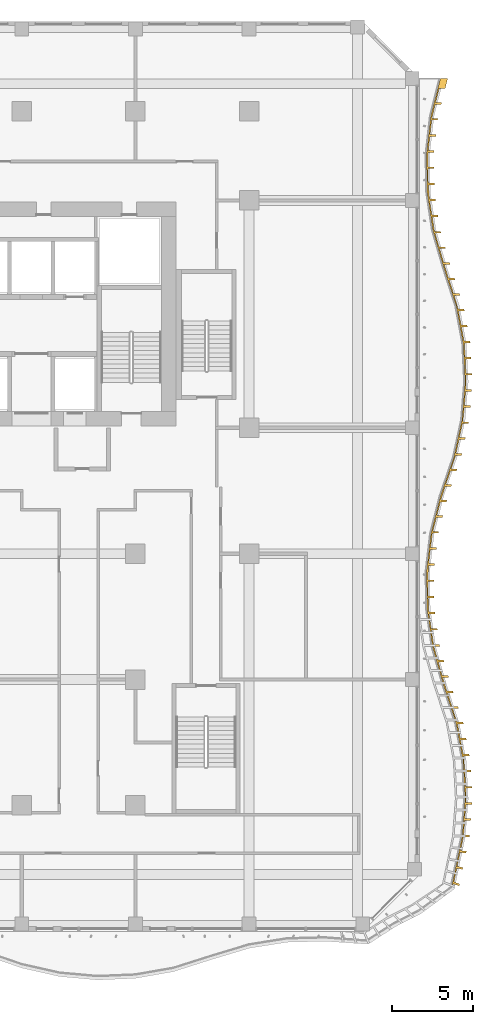
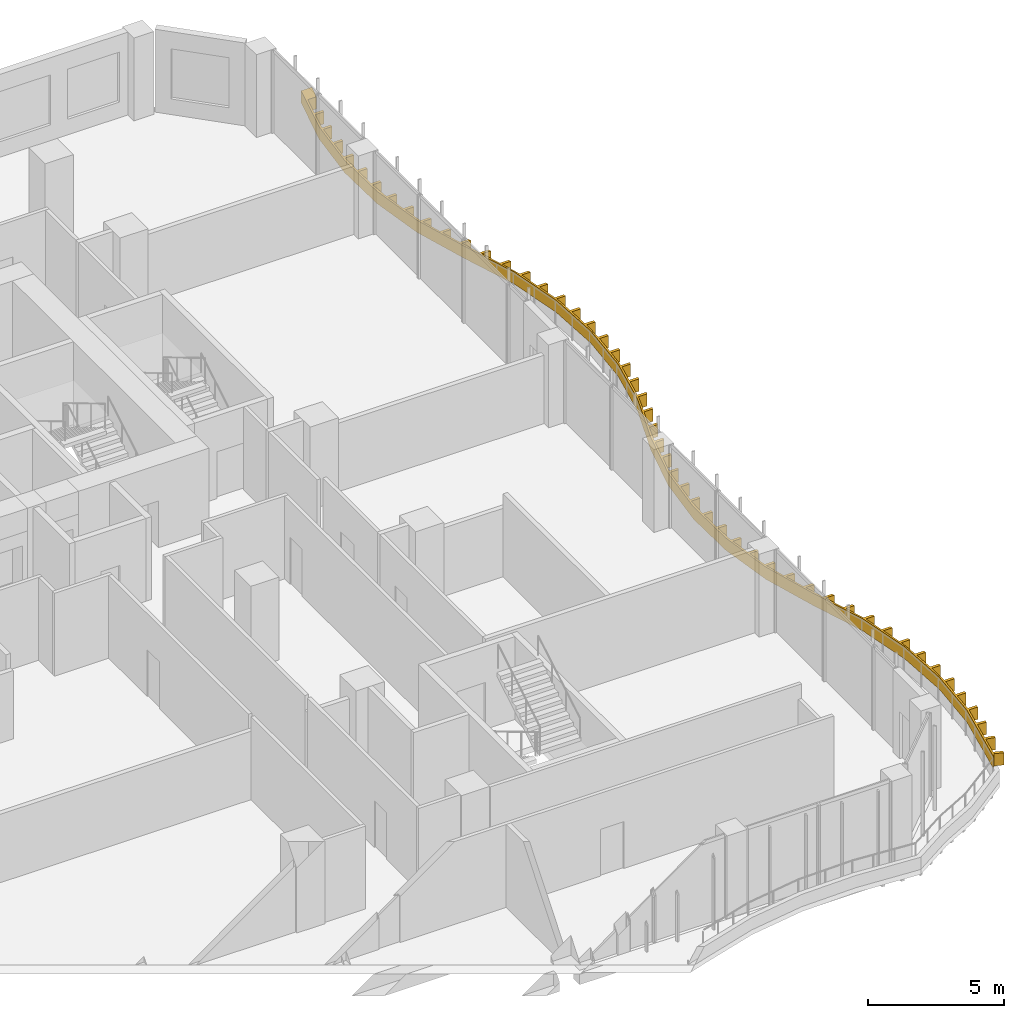
# One storey, part 23 of 26: 1 shading device.
"""IFC4 building model written with IfcOpenShell, lengths in metres."""

import ifcopenshell
import ifcopenshell.guid

model = None  # the IFC model being written
_history = None  # IfcOwnerHistory: only IFC2X3 demands one
_inside = {}  # id of a spatial element -> (the spatial element, [elements in it])
_under = {}  # id of a project, library or spatial element -> (it, [spatial elements below it])
_declared = {}  # id of a project -> (the project, [libraries it declares])
_typed = {}  # id of a type object -> (the type object, [elements of that type])
_made_of = {}  # id of a material, layer set ... -> (it, [elements and type objects made of it])


def new_model(schema):
    """Start an empty IFC model of exactly this schema.

    Asked for "IFC4X3", IfcOpenShell would pick the latest addendum, in which some entities
    have other attributes; the version numbers below select the first issue.
    IFC2X3 requires an IfcOwnerHistory on every rooted entity: one is made here for all.
    """
    global model, _history
    if schema == "IFC4X3":
        model = ifcopenshell.file(schema_version=(4, 3, 0, 0))
    else:
        model = ifcopenshell.file(schema=schema)
    _inside.clear()
    _under.clear()
    _declared.clear()
    _typed.clear()
    _made_of.clear()
    _history = None
    if model.schema == "IFC2X3":
        org = make("IfcOrganization", Name="unknown")
        user = make(
            "IfcPersonAndOrganization",
            ThePerson=make("IfcPerson", FamilyName="unknown"),
            TheOrganization=org,
        )
        app = make(
            "IfcApplication",
            ApplicationDeveloper=org,
            Version="unknown",
            ApplicationFullName="unknown",
            ApplicationIdentifier="unknown",
        )
        _history = make(
            "IfcOwnerHistory",
            OwningUser=user,
            OwningApplication=app,
            ChangeAction="ADDED",
            CreationDate=0,
        )
    return model


def make(cls, **values):
    """One entity of the class cls with the attributes given. An attribute that is None is left unset."""
    return model.create_entity(
        cls, **{name: value for name, value in values.items() if value is not None}
    )


def rooted(cls, **values):
    """An entity with a GlobalId (a new one), such as an element, a storey or a relation."""
    return make(cls, GlobalId=ifcopenshell.guid.new(), OwnerHistory=_history, **values)


def si_unit(unit_type, name, prefix=None):
    """IfcSIUnit, for example si_unit("LENGTHUNIT", "METRE", prefix="MILLI")."""
    return make("IfcSIUnit", UnitType=unit_type, Prefix=prefix, Name=name)


def assignment(units):
    """IfcUnitAssignment: the units of a project."""
    return None if units is None else make("IfcUnitAssignment", Units=units)


def point(xyz):
    """IfcCartesianPoint."""
    return None if xyz is None else make("IfcCartesianPoint", Coordinates=xyz)


def direction(xyz):
    """IfcDirection."""
    return None if xyz is None else make("IfcDirection", DirectionRatios=xyz)


def frame(location, z_axis=None, x_axis=None):
    """IfcAxis2Placement3D, a coordinate frame: its origin and axes. An axis left out is left unset."""
    return make(
        "IfcAxis2Placement3D",
        Location=point(location),
        Axis=direction(z_axis),
        RefDirection=direction(x_axis),
    )


def origin():
    """The frame at (0, 0, 0) with its axes left unset."""
    return frame((0.0, 0.0, 0.0))


def place(relative_to, where):
    """IfcLocalPlacement: puts the frame where relative to a parent placement (None: the world)."""
    return make(
        "IfcLocalPlacement", PlacementRelTo=relative_to, RelativePlacement=where
    )


def context(
    kind, dimensions, precision=None, world=None, true_north=None, identifier=None
):
    """IfcGeometricRepresentationContext, for example the 3D "Model" context."""
    return make(
        "IfcGeometricRepresentationContext",
        ContextIdentifier=identifier,
        ContextType=kind,
        CoordinateSpaceDimension=dimensions,
        Precision=precision,
        WorldCoordinateSystem=world,
        TrueNorth=true_north,
    )


def subcontext(parent, identifier, kind, view, scale=None):
    """IfcGeometricRepresentationSubContext, for example "Body" below "Model"."""
    return make(
        "IfcGeometricRepresentationSubContext",
        ContextIdentifier=identifier,
        ContextType=kind,
        ParentContext=parent,
        TargetScale=scale,
        TargetView=view,
    )


def project(units=None, contexts=None):
    """IfcProject with its units and contexts."""
    return rooted(
        "IfcProject",
        Name="project",
        RepresentationContexts=contexts,
        UnitsInContext=assignment(units),
    )


def spatial(cls, under=None, at=None, **own):
    """A site, building, storey or space (cls), placed at a placement, below another one or the project."""
    s = rooted(cls, ObjectPlacement=at, **own)
    if under is not None:
        _under.setdefault(under.id(), (under, []))[1].append(s)
    return s


def polyline(points):
    """IfcPolyline through the points."""
    return make("IfcPolyline", Points=[point(p) for p in points])


def outline(outer, holes=None, kind="AREA"):
    """IfcArbitraryClosedProfileDef: a profile drawn as a closed curve; with holes, ...WithVoids."""
    if holes is None:
        return make("IfcArbitraryClosedProfileDef", ProfileType=kind, OuterCurve=outer)
    return make(
        "IfcArbitraryProfileDefWithVoids",
        ProfileType=kind,
        OuterCurve=outer,
        InnerCurves=holes,
    )


def extrude(swept, where, along, depth):
    """IfcExtrudedAreaSolid: the profile swept, set in the frame where, extruded along a direction by depth."""
    return make(
        "IfcExtrudedAreaSolid",
        SweptArea=swept,
        Position=where,
        ExtrudedDirection=direction(along),
        Depth=depth,
    )


def shape(context_of_items, identifier, shape_type, items):
    """IfcShapeRepresentation: the items that make up one representation, for example the "Body"."""
    return make(
        "IfcShapeRepresentation",
        ContextOfItems=context_of_items,
        RepresentationIdentifier=identifier,
        RepresentationType=shape_type,
        Items=items,
    )


def source(mapping_origin, context_of_items, identifier, shape_type, items):
    """IfcRepresentationMap: a shape defined once, which mapped items show again and again."""
    return make(
        "IfcRepresentationMap",
        MappingOrigin=mapping_origin,
        MappedRepresentation=shape(context_of_items, identifier, shape_type, items),
    )


def transform(
    local_origin,
    x_axis=None,
    y_axis=None,
    z_axis=None,
    scale=None,
    scale2=None,
    scale3=None,
    uniform=True,
):
    """IfcCartesianTransformationOperator3D, or its non-uniform kind. x_axis, y_axis, z_axis: its Axis1, 2, 3."""
    if uniform:
        return make(
            "IfcCartesianTransformationOperator3D",
            Axis1=direction(x_axis),
            Axis2=direction(y_axis),
            LocalOrigin=point(local_origin),
            Scale=scale,
            Axis3=direction(z_axis),
        )
    return make(
        "IfcCartesianTransformationOperator3DnonUniform",
        Axis1=direction(x_axis),
        Axis2=direction(y_axis),
        LocalOrigin=point(local_origin),
        Scale=scale,
        Axis3=direction(z_axis),
        Scale2=scale2,
        Scale3=scale3,
    )


def mapped(mapping_source, mapping_target):
    """IfcMappedItem: shows the shape of a source again, moved by a transform."""
    return make(
        "IfcMappedItem", MappingSource=mapping_source, MappingTarget=mapping_target
    )


def material(Name=None, Category=None):
    """IfcMaterial."""
    return make("IfcMaterial", Name=Name, Category=Category)


def layer(
    of_material, thickness, ventilated=None, Name=None, Category=None, Priority=None
):
    """IfcMaterialLayer: one layer of a wall or slab, of a material (None: an air gap)."""
    return make(
        "IfcMaterialLayer",
        Material=of_material,
        LayerThickness=thickness,
        IsVentilated=ventilated,
        Name=Name,
        Category=Category,
        Priority=Priority,
    )


def layer_set(layers, Name=None):
    """IfcMaterialLayerSet."""
    return make("IfcMaterialLayerSet", MaterialLayers=layers, LayerSetName=Name)


def made_of(thing, what):
    """Note that an element or type object is made of a material, layer set ...; save() writes the relation."""
    if what is not None:
        _made_of.setdefault(what.id(), (what, []))[1].append(thing)
    return thing


def type_object(cls, material=None, **own):
    """A type object (cls), such as IfcWallType, which elements share."""
    return made_of(rooted(cls, **own), material)


def element(
    cls,
    number,
    at=None,
    inside=None,
    cuts=None,
    type_object=None,
    material=None,
    context=None,
    identifier="Body",
    shape_type=None,
    held_by="IfcProductDefinitionShape",
    body=None,
    shapes=None,
    **own,
):
    """One element of the class cls, such as IfcWall. Its Tag is "e" and its number.

    at: its placement. inside: the storey or other place that contains it. cuts: it is an
    opening in that element (IfcRelVoidsElement). A single representation is given by context,
    identifier, shape_type and body (its items); several are given by shapes. held_by: the class
    of the entity that holds the representations. save() writes the other relations.
    """
    e = rooted(cls, Tag="e%d" % number, ObjectPlacement=at, **own)
    if body is not None:
        shapes = [shape(context, identifier, shape_type, body)]
    if shapes is not None:
        e.Representation = make(held_by, Representations=shapes)
    if inside is not None:
        _inside.setdefault(inside.id(), (inside, []))[1].append(e)
    if cuts is not None:
        rooted(
            "IfcRelVoidsElement", RelatingBuildingElement=cuts, RelatedOpeningElement=e
        )
    if type_object is not None:
        _typed.setdefault(type_object.id(), (type_object, []))[1].append(e)
    return made_of(e, material)


def aggregate(whole, parts):
    """IfcRelAggregates: a whole, such as a stair, and the parts it consists of."""
    return rooted("IfcRelAggregates", RelatingObject=whole, RelatedObjects=parts)


def save(model, path):
    """Write the relations noted so far, then the file.

    IfcRelAggregates (storeys below a building ...), IfcRelContainedInSpatialStructure (elements
    in a storey), IfcRelDefinesByType, IfcRelAssociatesMaterial and IfcRelDeclares: one each for
    every whole, place, type object, material and project.
    """
    for whole, parts in _under.values():
        aggregate(whole, parts)
    for where, things in _inside.values():
        rooted(
            "IfcRelContainedInSpatialStructure",
            RelatedElements=things,
            RelatingStructure=where,
        )
    for kind, things in _typed.values():
        rooted("IfcRelDefinesByType", RelatedObjects=things, RelatingType=kind)
    for what, things in _made_of.values():
        rooted("IfcRelAssociatesMaterial", RelatedObjects=things, RelatingMaterial=what)
    for by, libraries in _declared.values():
        rooted("IfcRelDeclares", RelatingContext=by, RelatedDefinitions=libraries)
    model.write(path)


model = new_model("IFC4")

# Units and contexts
model_context = context("Model", 3, precision=1e-05, world=origin(), true_north=direction((0.0, 1.0)))
body_context = subcontext(model_context, "Body", "Model", "MODEL_VIEW")
ifc_project = project(units=[si_unit("LENGTHUNIT", "METRE"), si_unit("AREAUNIT", "SQUARE_METRE"), si_unit("VOLUMEUNIT", "CUBIC_METRE"), si_unit("PLANEANGLEUNIT", "RADIAN"), si_unit("MASSUNIT", "GRAM", prefix="KILO")], contexts=[model_context])

# Site, building, storey
site_placement = place(None, origin())
site = spatial("IfcSite", under=ifc_project, at=site_placement, CompositionType="ELEMENT")
building_placement = place(site_placement, origin())
building = spatial("IfcBuilding", under=site, at=building_placement, Name="Kilnfold Tower and Market Hall", CompositionType="ELEMENT")
storey_placement = place(building_placement, frame((0.0, 0.0, 104.60009765625)))
storey = spatial("IfcBuildingStorey", under=building, at=storey_placement, Name="L24", CompositionType="ELEMENT", Elevation=104.60009765625)

# Shading device
ifc_material = material(Name="Bronze anodised aluminium", Category="aluminium")
ifc_layer = layer(ifc_material, 0.550048828125)
ifc_layer_set = layer_set([ifc_layer], Name="Bronze anodised aluminium")
shading_device_type = type_object("IfcShadingDeviceType", Name="BRONZE SLAT FASCIA 550", PredefinedType="USERDEFINED", material=ifc_layer_set)
shared_shape = source(origin(), body_context, "Body", "SweptSolid", [
    extrude(outline(polyline([(35.432861328125, -20.205322265625), (35.087890625, -20.075439453125), (34.983154296875, -20.19580078125), (35.61767578125, -17.166748046875), (35.798583984375, -14.833251953125), (35.673583984375, -12.5), (35.235107421875, -10.166748046875), (34.467529296875, -7.833251953125), (33.7978515625, -5.5), (33.4560546875, -3.166748046875), (33.423583984375, -0.833251953125), (33.69873046875, 1.5), (34.29638671875, 3.833251953125), (35.10009765625, 6.166748046875), (35.607421875, 8.5), (35.7978515625, 10.833251953125), (35.681884765625, 13.166748046875), (35.25341796875, 15.5), (34.493408203125, 17.833251953125), (33.81298828125, 20.166748046875), (33.4619140625, 22.5), (33.420166015625, 24.833251953125), (33.685791015625, 27.166748046875), (34.2734375, 29.5), (34.723388671875, 29.5), (34.567626953125, 28.881591796875), (34.19775390625, 28.881591796875), (33.98291015625, 28.0283203125), (34.352783203125, 28.0283203125), (34.323486328125, 27.912109375), (33.95361328125, 27.912109375), (33.75341796875, 27.055908203125), (34.123291015625, 27.055908203125), (34.109619140625, 26.936767578125), (33.73974609375, 26.936767578125), (33.64013671875, 26.0625), (34.01025390625, 26.0625), (33.99658203125, 25.943115234375), (33.626708984375, 25.943115234375), (33.527099609375, 25.06884765625), (33.89697265625, 25.06884765625), (33.88330078125, 24.94970703125), (33.513427734375, 24.94970703125), (33.513916015625, 24.0703125), (33.8837890625, 24.0703125), (33.885986328125, 23.950439453125), (33.51611328125, 23.950439453125), (33.53173828125, 23.070556640625), (33.901611328125, 23.070556640625), (33.90380859375, 22.95068359375), (33.53369140625, 22.95068359375), (33.605712890625, 22.075439453125), (33.975830078125, 22.075439453125), (33.99365234375, 21.956787109375), (33.623779296875, 21.956787109375), (33.754638671875, 21.086669921875), (34.12451171875, 21.086669921875), (34.142578125, 20.968017578125), (33.7724609375, 20.968017578125), (33.91259765625, 20.099853515625), (34.28271484375, 20.099853515625), (34.316162109375, 19.984619140625), (33.9462890625, 19.984619140625), (34.1923828125, 19.1396484375), (34.5625, 19.1396484375), (34.59619140625, 19.0244140625), (34.22607421875, 19.0244140625), (34.472412109375, 18.1796875), (34.84228515625, 18.1796875), (34.8759765625, 18.064453125), (34.506103515625, 18.064453125), (34.771240234375, 17.2255859375), (35.141357421875, 17.2255859375), (35.178466796875, 17.111328125), (34.80859375, 17.111328125), (35.0810546875, 16.274658203125), (35.450927734375, 16.274658203125), (35.48828125, 16.16064453125), (35.1181640625, 16.16064453125), (35.36669921875, 15.31787109375), (35.73681640625, 15.31787109375), (35.75830078125, 15.19970703125), (35.388427734375, 15.19970703125), (35.54736328125, 14.334228515625), (35.91748046875, 14.334228515625), (35.939208984375, 14.21630859375), (35.569091796875, 14.21630859375), (35.72802734375, 13.3505859375), (36.097900390625, 13.3505859375), (36.11962890625, 13.232666015625), (35.749755859375, 13.232666015625), (35.80224609375, 12.354736328125), (36.172119140625, 12.354736328125), (36.177978515625, 12.23486328125), (35.80810546875, 12.23486328125), (35.851806640625, 11.35595703125), (36.2216796875, 11.35595703125), (36.227783203125, 11.236083984375), (35.85791015625, 11.236083984375), (35.839111328125, 10.358154296875), (36.208984375, 10.358154296875), (36.19921875, 10.238525390625), (35.8291015625, 10.238525390625), (35.757568359375, 9.361572265625), (36.127685546875, 9.361572265625), (36.117919921875, 9.241943359375), (35.747802734375, 9.241943359375), (35.658447265625, 8.367431640625), (36.028564453125, 8.367431640625), (36.0029296875, 8.250244140625), (35.633056640625, 8.250244140625), (35.446044921875, 7.390380859375), (35.816162109375, 7.390380859375), (35.79052734375, 7.273193359375), (35.420654296875, 7.273193359375), (35.233642578125, 6.4130859375), (35.603759765625, 6.4130859375), (35.578125, 6.2958984375), (35.208251953125, 6.2958984375), (34.9365234375, 5.459716796875), (35.306640625, 5.459716796875), (35.267578125, 5.34619140625), (34.8974609375, 5.34619140625), (34.611083984375, 4.51416015625), (34.98095703125, 4.51416015625), (34.94189453125, 4.400634765625), (34.572021484375, 4.400634765625), (34.306884765625, 3.562255859375), (34.677001953125, 3.562255859375), (34.647216796875, 3.44580078125), (34.27734375, 3.44580078125), (34.058837890625, 2.593505859375), (34.428955078125, 2.593505859375), (34.399169921875, 2.477294921875), (34.029052734375, 2.477294921875), (33.810791015625, 1.624755859375), (34.1806640625, 1.624755859375), (34.15087890625, 1.508544921875), (33.781005859375, 1.508544921875), (33.6767578125, 0.634765625), (34.046875, 0.634765625), (34.03271484375, 0.515625), (33.66259765625, 0.515625), (33.559814453125, -0.3583984375), (33.9296875, -0.3583984375), (33.91552734375, -0.4775390625), (33.545654296875, -0.4775390625), (33.510986328125, -1.35498046875), (33.880859375, -1.35498046875), (33.882568359375, -1.47509765625), (33.5126953125, -1.47509765625), (33.52490234375, -2.35498046875), (33.894775390625, -2.35498046875), (33.896484375, -2.474853515625), (33.526611328125, -2.474853515625), (33.5634765625, -3.352783203125), (33.933349609375, -3.352783203125), (33.95068359375, -3.4716796875), (33.580810546875, -3.4716796875), (33.708251953125, -4.34228515625), (34.078369140625, -4.34228515625), (34.095703125, -4.461181640625), (33.7255859375, -4.461181640625), (33.853271484375, -5.331787109375), (34.22314453125, -5.331787109375), (34.240478515625, -5.450439453125), (33.87060546875, -5.450439453125), (34.106689453125, -6.2978515625), (34.476806640625, -6.2978515625), (34.510009765625, -6.4130859375), (34.139892578125, -6.4130859375), (34.3828125, -7.2587890625), (34.752685546875, -7.2587890625), (34.785888671875, -7.374267578125), (34.415771484375, -7.374267578125), (34.67333984375, -8.215576171875), (35.04345703125, -8.215576171875), (35.080810546875, -8.32958984375), (34.7109375, -8.32958984375), (34.98583984375, -9.16552734375), (35.355712890625, -9.16552734375), (35.393310546875, -9.279541015625), (35.023193359375, -9.279541015625), (35.29833984375, -10.115478515625), (35.668212890625, -10.115478515625), (35.685302734375, -10.166748046875), (35.697509765625, -10.231689453125), (35.327392578125, -10.231689453125), (35.489990234375, -11.096435546875), (35.85986328125, -11.096435546875), (35.882080078125, -11.21435546875), (35.511962890625, -11.21435546875), (35.674560546875, -12.079345703125), (36.04443359375, -12.079345703125), (36.066650390625, -12.197265625), (35.696533203125, -12.197265625), (35.7841796875, -13.071044921875), (36.154052734375, -13.071044921875), (36.16064453125, -13.19091796875), (35.79052734375, -13.19091796875), (35.837646484375, -14.069580078125), (36.207763671875, -14.069580078125), (36.214111328125, -14.189453125), (35.84423828125, -14.189453125), (35.860595703125, -15.06787109375), (36.23046875, -15.06787109375), (36.22119140625, -15.1875), (35.851318359375, -15.1875), (35.783203125, -16.06494140625), (36.153076171875, -16.06494140625), (36.143798828125, -16.1845703125), (35.773681640625, -16.1845703125), (35.705810546875, -17.06201171875), (36.07568359375, -17.06201171875), (36.067626953125, -17.166748046875), (36.064453125, -17.181640625), (35.694580078125, -17.180908203125), (35.514892578125, -18.02978515625), (35.879150390625, -18.068603515625), (35.85400390625, -18.189697265625), (35.49072265625, -18.145751953125), (35.312744140625, -18.994384765625), (35.668701171875, -19.076416015625), (35.643310546875, -19.197509765625), (35.28857421875, -19.110107421875), (35.11181640625, -19.95947265625), (35.4580078125, -20.08447265625), (35.432861328125, -20.205322265625)])), origin(), (0.0, 0.0, 1.0), 0.550048828125),
])
shading_device_placement = place(storey_placement, frame((0.0, 0.0, 0.5498046875)))
element("IfcShadingDevice", 1, at=shading_device_placement, inside=storey, type_object=shading_device_type, Name="Balcony slat fascia L24", ObjectType="SLAT", PredefinedType="USERDEFINED", context=body_context, shape_type="MappedRepresentation", body=[
    mapped(shared_shape, transform((0.0, 0.0, 0.0))),
])

save(model, "model.ifc")
